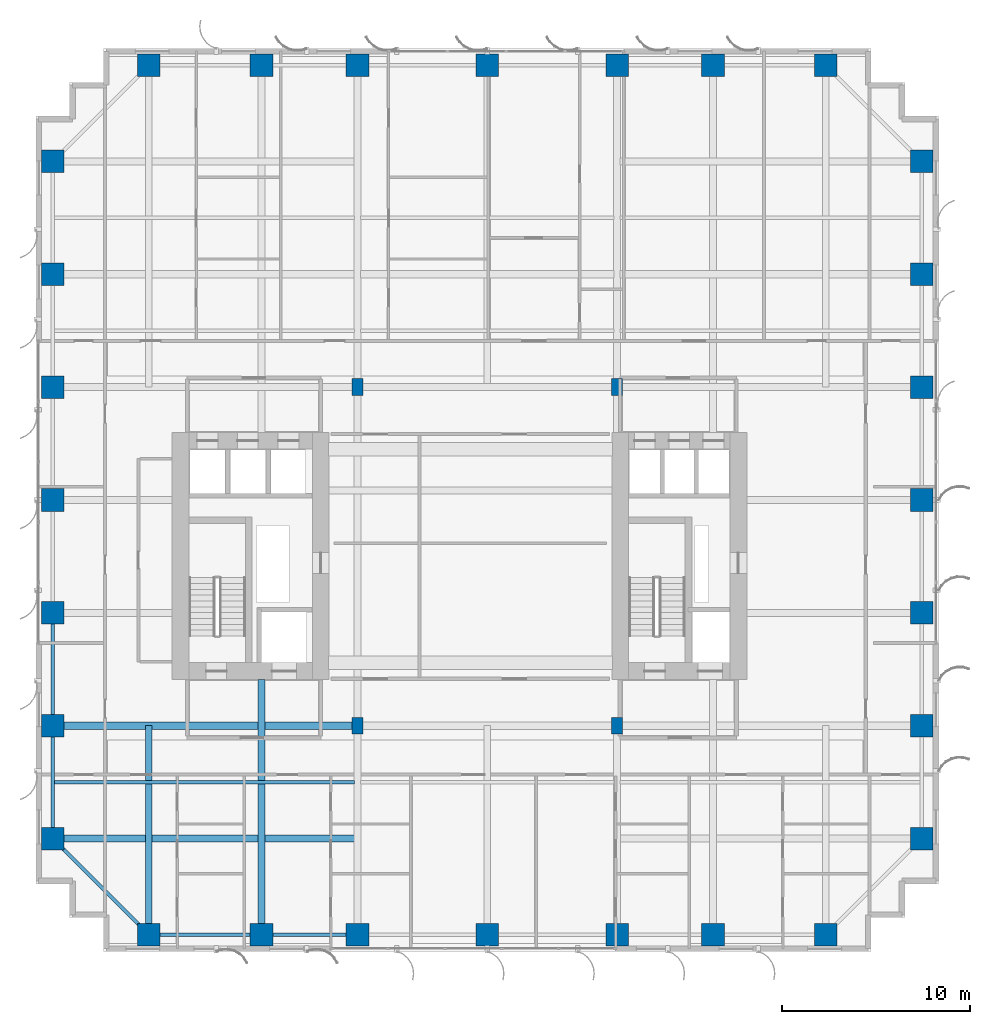
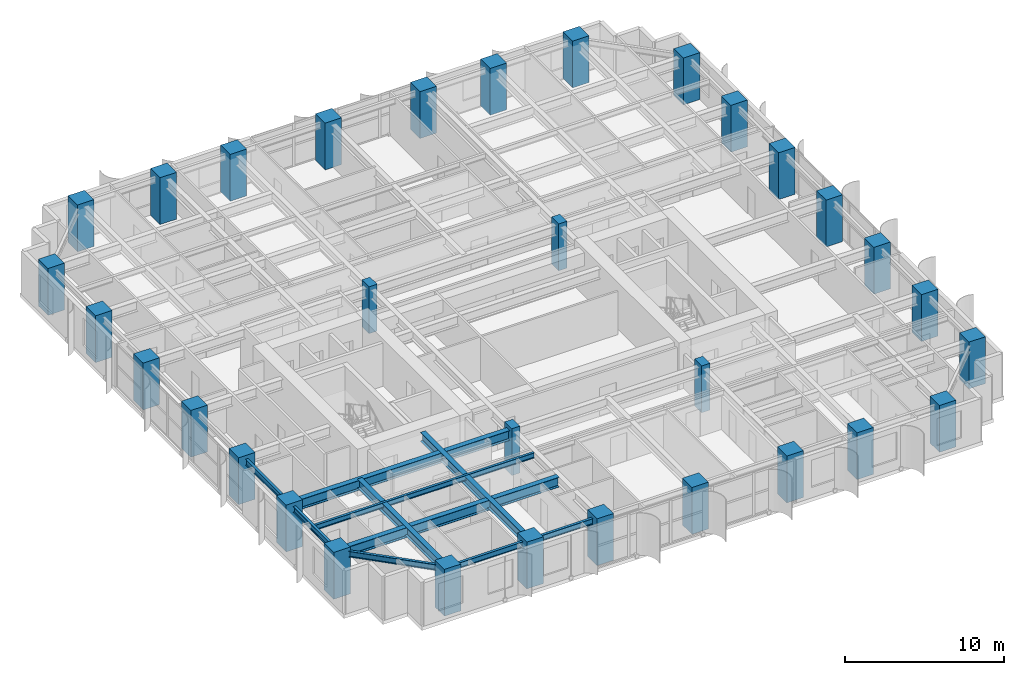
# One storey, part 1 of 23: 32 columns, 10 beams.
"""IFC4 building model written with IfcOpenShell, lengths in metres."""

from ifc_helpers import new_model, si_unit, direction, frame, origin, origin_2d, place, context, subcontext, project, spatial, rectangle, i_section, extrude, source, transform, mapped, material, material_profile, profile_set, type_object, element, save


model = new_model("IFC4")

# Units and contexts
model_context = context("Model", 3, precision=1e-05, world=origin(), true_north=direction((0.0, 1.0)))
body_context = subcontext(model_context, "Body", "Model", "MODEL_VIEW")
ifc_project = project(units=[si_unit("LENGTHUNIT", "METRE"), si_unit("AREAUNIT", "SQUARE_METRE"), si_unit("VOLUMEUNIT", "CUBIC_METRE"), si_unit("PLANEANGLEUNIT", "RADIAN"), si_unit("MASSUNIT", "GRAM", prefix="KILO")], contexts=[model_context])

# Site, building, storey
site_placement = place(None, origin())
site = spatial("IfcSite", under=ifc_project, at=site_placement, CompositionType="ELEMENT")
building_placement = place(site_placement, origin())
building = spatial("IfcBuilding", under=site, at=building_placement, Name="Khoralis Quay Care Tower", CompositionType="ELEMENT")
storey_placement = place(building_placement, frame((0.0, 0.0, 36.89990234375)))
storey = spatial("IfcBuildingStorey", under=building, at=storey_placement, Name="L09", CompositionType="ELEMENT", Elevation=36.89990234375)

# Columns
ifc_material_1 = material(Name="Concrete C80/95", Category="concrete")
ifc_material_profile_1 = material_profile(ifc_material_1, rectangle(XDim=1.199951171875, YDim=1.199951171875, at=origin_2d()), Name="Concrete C80/95")
ifc_profile_set_1 = profile_set([ifc_material_profile_1], Name="Concrete C80/95")
column_type_1 = type_object("IfcColumnType", Name="COL-C1200", PredefinedType="COLUMN", material=ifc_profile_set_1)
shared_shape_1 = source(origin(), body_context, "Body", "SweptSolid", [
    extrude(rectangle(XDim=1.199951171875, YDim=1.199951171875, at=origin_2d()), origin(), (0.0, 0.0, 1.0), 3.60009765625),
])
for number, where, z_axis, x_axis, name in (
    (1, (6.0, 0.89990234375, 0.0), (0.0, 0.0, 1.0), (1.0, 0.0, 0.0), "COL-TWR-L09-01"),
    (2, (6.0, 47.10009765625, 0.0), (0.0, 0.0, 1.0), (1.0, 0.0, 0.0), "COL-TWR-L09-02"),
    (3, (12.0, 0.89990234375, 0.0), (0.0, 0.0, 1.0), (1.0, 0.0, 0.0), "COL-TWR-L09-03"),
    (4, (12.0, 47.10009765625, 0.0), (0.0, 0.0, 1.0), (1.0, 0.0, 0.0), "COL-TWR-L09-04"),
    (5, (17.10009765625, 0.89990234375, 0.0), (0.0, 0.0, 1.0), (1.0, 0.0, 0.0), "COL-TWR-L09-05"),
    (6, (17.10009765625, 47.10009765625, 0.0), (0.0, 0.0, 1.0), (1.0, 0.0, 0.0), "COL-TWR-L09-06"),
    (7, (24.0, 0.89990234375, 0.0), (0.0, 0.0, 1.0), (1.0, 0.0, 0.0), "COL-TWR-L09-07"),
    (8, (24.0, 47.10009765625, 0.0), (0.0, 0.0, 1.0), (1.0, 0.0, 0.0), "COL-TWR-L09-08"),
    (9, (30.89990234375, 0.89990234375, 0.0), (0.0, 0.0, 1.0), (1.0, 0.0, 0.0), "COL-TWR-L09-09"),
    (10, (30.89990234375, 47.10009765625, 0.0), (0.0, 0.0, 1.0), (1.0, 0.0, 0.0), "COL-TWR-L09-10"),
    (11, (36.0, 0.89990234375, 0.0), (0.0, 0.0, 1.0), (1.0, 0.0, 0.0), "COL-TWR-L09-11"),
    (12, (36.0, 47.10009765625, 0.0), (0.0, 0.0, 1.0), (1.0, 0.0, 0.0), "COL-TWR-L09-12"),
    (13, (42.0, 0.89990234375, 0.0), (0.0, 0.0, 1.0), (1.0, 0.0, 0.0), "COL-TWR-L09-13"),
    (14, (42.0, 47.10009765625, 0.0), (0.0, 0.0, 1.0), (1.0, 0.0, 0.0), "COL-TWR-L09-14"),
    (15, (0.89990234375, 6.0, 0.0), (0.0, 0.0, 1.0), (1.0, 0.0, 0.0), "COL-TWR-L09-15"),
    (16, (47.10009765625, 6.0, 0.0), (0.0, 0.0, 1.0), (1.0, 0.0, 0.0), "COL-TWR-L09-16"),
    (17, (0.89990234375, 12.0, 0.0), (0.0, 0.0, 1.0), (1.0, 0.0, 0.0), "COL-TWR-L09-17"),
    (18, (47.10009765625, 12.0, 0.0), (0.0, 0.0, 1.0), (1.0, 0.0, 0.0), "COL-TWR-L09-18"),
    (19, (0.89990234375, 18.0, 0.0), (0.0, 0.0, 1.0), (1.0, 0.0, 0.0), "COL-TWR-L09-19"),
    (20, (47.10009765625, 18.0, 0.0), (0.0, 0.0, 1.0), (1.0, 0.0, 0.0), "COL-TWR-L09-20"),
    (21, (0.89990234375, 24.0, 0.0), (0.0, 0.0, 1.0), (1.0, 0.0, 0.0), "COL-TWR-L09-21"),
    (22, (47.10009765625, 24.0, 0.0), (0.0, 0.0, 1.0), (1.0, 0.0, 0.0), "COL-TWR-L09-22"),
    (23, (0.89990234375, 30.0, 0.0), (0.0, 0.0, 1.0), (1.0, 0.0, 0.0), "COL-TWR-L09-23"),
    (24, (47.10009765625, 30.0, 0.0), (0.0, 0.0, 1.0), (1.0, 0.0, 0.0), "COL-TWR-L09-24"),
    (25, (0.89990234375, 36.0, 0.0), (0.0, 0.0, 1.0), (1.0, 0.0, 0.0), "COL-TWR-L09-25"),
    (26, (47.10009765625, 36.0, 0.0), (0.0, 0.0, 1.0), (1.0, 0.0, 0.0), "COL-TWR-L09-26"),
    (27, (0.89990234375, 42.0, 0.0), (0.0, 0.0, 1.0), (1.0, 0.0, 0.0), "COL-TWR-L09-27"),
    (28, (47.10009765625, 42.0, 0.0), (0.0, 0.0, 1.0), (1.0, 0.0, 0.0), "COL-TWR-L09-28"),
):
    element("IfcColumn", number, at=place(storey_placement, frame(where, z_axis=z_axis, x_axis=x_axis)), inside=storey, type_object=column_type_1, Name=name, PredefinedType="COLUMN", context=body_context, shape_type="MappedRepresentation", body=[
        mapped(shared_shape_1, transform((0.0, 0.0, 0.0), scale=1.0)),
    ])
ifc_material_2 = material(Name="Concrete C65/80", Category="concrete")
ifc_material_profile_2 = material_profile(ifc_material_2, rectangle(XDim=0.60009765625, YDim=0.89990234375, at=origin_2d()), Name="Concrete C65/80")
ifc_profile_set_2 = profile_set([ifc_material_profile_2], Name="Concrete C65/80")
column_type_2 = type_object("IfcColumnType", Name="COL-C600X900", PredefinedType="COLUMN", material=ifc_profile_set_2)
shared_shape_2 = source(origin(), body_context, "Body", "SweptSolid", [
    extrude(rectangle(XDim=0.60009765625, YDim=0.89990234375, at=origin_2d()), origin(), (0.0, 0.0, 1.0), 3.60009765625),
])
for number, where, z_axis, x_axis, name in (
    (29, (17.10009765625, 12.0, 0.0), (0.0, 0.0, 1.0), (1.0, 0.0, 0.0), "COL-TWR-L09-29"),
    (30, (17.10009765625, 30.0, 0.0), (0.0, 0.0, 1.0), (1.0, 0.0, 0.0), "COL-TWR-L09-30"),
    (31, (30.89990234375, 12.0, 0.0), (0.0, 0.0, 1.0), (1.0, 0.0, 0.0), "COL-TWR-L09-31"),
    (32, (30.89990234375, 30.0, 0.0), (0.0, 0.0, 1.0), (1.0, 0.0, 0.0), "COL-TWR-L09-32"),
):
    element("IfcColumn", number, at=place(storey_placement, frame(where, z_axis=z_axis, x_axis=x_axis)), inside=storey, type_object=column_type_2, Name=name, PredefinedType="COLUMN", context=body_context, shape_type="MappedRepresentation", body=[
        mapped(shared_shape_2, transform((0.0, 0.0, 0.0), scale=1.0)),
    ])

# Beams
ifc_material_3 = material(Name="Steel S355", Category="steel")
ifc_material_profile_3 = material_profile(ifc_material_3, i_section(OverallWidth=0.18994140625, OverallDepth=0.449951171875, WebThickness=0.009521484375, FlangeThickness=0.0146484375, FilletRadius=0.02099609375, at=origin_2d()), Name="Steel S355")
ifc_profile_set_3 = profile_set([ifc_material_profile_3], Name="Steel S355")
beam_type_1 = type_object("IfcBeamType", Name="BM-IPE450", PredefinedType="SPANDREL", material=ifc_profile_set_3)
shared_shape_3 = source(origin(), body_context, "Body", "SweptSolid", [
    extrude(i_section(OverallWidth=0.18994140625, OverallDepth=0.449951171875, WebThickness=0.009521484375, FlangeThickness=0.0146484375, FilletRadius=0.02099609375, at=origin_2d()), origin(), (0.0, 0.0, 1.0), 6.0),
])
for number, where, z_axis, x_axis, name in (
    (33, (6.0, 0.89990234375, 3.09521484375), (1.0, 0.0, 0.0), (0.0, 1.0, 0.0), "BM-TSP-L09-01"),
    (34, (0.89990234375, 6.0, 3.09521484375), (0.0, 1.0, 0.0), (-1.0, 0.0, 0.0), "BM-TSP-L09-13"),
    (35, (0.89990234375, 12.0, 3.09521484375), (0.0, 1.0, 0.0), (-1.0, 0.0, 0.0), "BM-TSP-L09-14"),
):
    element("IfcBeam", number, at=place(storey_placement, frame(where, z_axis=z_axis, x_axis=x_axis)), inside=storey, type_object=beam_type_1, Name=name, PredefinedType="SPANDREL", context=body_context, shape_type="MappedRepresentation", body=[
        mapped(shared_shape_3, transform((0.0, 0.0, 0.0), scale=1.0)),
    ])
shared_shape_4 = source(origin(), body_context, "Body", "SweptSolid", [
    extrude(i_section(OverallWidth=0.18994140625, OverallDepth=0.449951171875, WebThickness=0.009521484375, FlangeThickness=0.0146484375, FilletRadius=0.02099609375, at=origin_2d()), origin(), (0.0, 0.0, 1.0), 5.10009765625),
])
beam_1_placement = place(storey_placement, frame((12.0, 0.89990234375, 3.09521484375), z_axis=(1.0, 0.0, 0.0), x_axis=(0.0, 1.0, 0.0)))
element("IfcBeam", 36, at=beam_1_placement, inside=storey, type_object=beam_type_1, Name="BM-TSP-L09-02", PredefinedType="SPANDREL", context=body_context, shape_type="MappedRepresentation", body=[
    mapped(shared_shape_4, transform((0.0, 0.0, 0.0), scale=1.0)),
])
shared_shape_5 = source(origin(), body_context, "Body", "SweptSolid", [
    extrude(i_section(OverallWidth=0.18994140625, OverallDepth=0.449951171875, WebThickness=0.009521484375, FlangeThickness=0.0146484375, FilletRadius=0.02099609375, at=origin_2d()), origin(), (0.0, 0.0, 1.0), 7.212646484375),
])
beam_2_placement = place(storey_placement, frame((6.0, 0.89990234375, 3.09521484375), z_axis=(-0.707106781187, 0.707106781187, 0.0), x_axis=(-0.707106781187, -0.707106781187, 0.0)))
element("IfcBeam", 37, at=beam_2_placement, inside=storey, type_object=beam_type_1, Name="BM-TCR-L09-25", PredefinedType="SPANDREL", context=body_context, shape_type="MappedRepresentation", body=[
    mapped(shared_shape_5, transform((0.0, 0.0, 0.0), scale=1.0)),
])
ifc_material_profile_4 = material_profile(ifc_material_3, i_section(OverallWidth=0.381103515625, OverallDepth=0.77294921875, WebThickness=0.0166015625, FlangeThickness=0.027587890625, FilletRadius=0.02197265625, at=origin_2d()), Name="Steel S355")
ifc_profile_set_4 = profile_set([ifc_material_profile_4], Name="Steel S355")
beam_type_2 = type_object("IfcBeamType", Name="BM-W760X257", PredefinedType="BEAM", material=ifc_profile_set_4)
shared_shape_6 = source(origin(), body_context, "Body", "SweptSolid", [
    extrude(i_section(OverallWidth=0.381103515625, OverallDepth=0.77294921875, WebThickness=0.0166015625, FlangeThickness=0.027587890625, FilletRadius=0.02197265625, at=origin_2d()), origin(), (0.0, 0.0, 1.0), 16.03466796875),
])
beam_3_placement = place(storey_placement, frame((0.89990234375, 6.0, 2.93359375), z_axis=(1.0, 0.0, 0.0), x_axis=(0.0, 1.0, 0.0)))
element("IfcBeam", 38, at=beam_3_placement, inside=storey, type_object=beam_type_2, Name="BM-TGXW-L09-60", PredefinedType="BEAM", context=body_context, shape_type="MappedRepresentation", body=[
    mapped(shared_shape_6, transform((0.0, 0.0, 0.0), scale=1.0)),
])
shared_shape_7 = source(origin(), body_context, "Body", "SweptSolid", [
    extrude(i_section(OverallWidth=0.381103515625, OverallDepth=0.77294921875, WebThickness=0.0166015625, FlangeThickness=0.027587890625, FilletRadius=0.02197265625, at=origin_2d()), origin(), (0.0, 0.0, 1.0), 16.2001953125),
])
beam_4_placement = place(storey_placement, frame((0.89990234375, 12.0, 2.93359375), z_axis=(1.0, 0.0, 0.0), x_axis=(0.0, 1.0, 0.0)))
element("IfcBeam", 39, at=beam_4_placement, inside=storey, type_object=beam_type_2, Name="BM-TGXW-L09-120", PredefinedType="BEAM", context=body_context, shape_type="MappedRepresentation", body=[
    mapped(shared_shape_7, transform((0.0, 0.0, 0.0), scale=1.0)),
])
ifc_material_profile_5 = material_profile(ifc_material_3, i_section(OverallWidth=0.35498046875, OverallDepth=0.695068359375, WebThickness=0.015380859375, FlangeThickness=0.02490234375, FilletRadius=0.02001953125, at=origin_2d()), Name="Steel S355")
ifc_profile_set_5 = profile_set([ifc_material_profile_5], Name="Steel S355")
beam_type_3 = type_object("IfcBeamType", Name="BM-W690X217", PredefinedType="BEAM", material=ifc_profile_set_5)
shared_shape_8 = source(origin(), body_context, "Body", "SweptSolid", [
    extrude(i_section(OverallWidth=0.35498046875, OverallDepth=0.695068359375, WebThickness=0.015380859375, FlangeThickness=0.02490234375, FilletRadius=0.02001953125, at=origin_2d()), origin(), (0.0, 0.0, 1.0), 11.10009765625),
])
beam_5_placement = place(storey_placement, frame((6.0, 0.89990234375, 2.97265625), z_axis=(0.0, 1.0, 0.0), x_axis=(-1.0, 0.0, 0.0)))
element("IfcBeam", 40, at=beam_5_placement, inside=storey, type_object=beam_type_3, Name="BM-TGYS-L09-60", PredefinedType="BEAM", context=body_context, shape_type="MappedRepresentation", body=[
    mapped(shared_shape_8, transform((0.0, 0.0, 0.0), scale=1.0)),
])
shared_shape_9 = source(origin(), body_context, "Body", "SweptSolid", [
    extrude(i_section(OverallWidth=0.35498046875, OverallDepth=0.695068359375, WebThickness=0.015380859375, FlangeThickness=0.02490234375, FilletRadius=0.02001953125, at=origin_2d()), origin(), (0.0, 0.0, 1.0), 13.552001953125),
])
beam_6_placement = place(storey_placement, frame((12.0, 0.89990234375, 2.97265625), z_axis=(0.0, 1.0, 0.0), x_axis=(-1.0, 0.0, 0.0)))
element("IfcBeam", 41, at=beam_6_placement, inside=storey, type_object=beam_type_3, Name="BM-TGYS-L09-120", PredefinedType="BEAM", context=body_context, shape_type="MappedRepresentation", body=[
    mapped(shared_shape_9, transform((0.0, 0.0, 0.0), scale=1.0)),
])
ifc_material_profile_6 = material_profile(ifc_material_3, i_section(OverallWidth=0.177978515625, OverallDepth=0.406982421875, WebThickness=0.0078125, FlangeThickness=0.0126953125, FilletRadius=0.012939453125, at=origin_2d()), Name="Steel S355")
ifc_profile_set_6 = profile_set([ifc_material_profile_6], Name="Steel S355")
beam_type_4 = type_object("IfcBeamType", Name="BM-W410X60", PredefinedType="JOIST", material=ifc_profile_set_6)
shared_shape_10 = source(origin(), body_context, "Body", "SweptSolid", [
    extrude(i_section(OverallWidth=0.177978515625, OverallDepth=0.406982421875, WebThickness=0.0078125, FlangeThickness=0.0126953125, FilletRadius=0.012939453125, at=origin_2d()), origin(), (0.0, 0.0, 1.0), 15.95361328125),
])
beam_7_placement = place(storey_placement, frame((0.98095703125, 9.0, 3.11669921875), z_axis=(1.0, 0.0, 0.0), x_axis=(0.0, 1.0, 0.0)))
element("IfcBeam", 42, at=beam_7_placement, inside=storey, type_object=beam_type_4, Name="BM-TJS-L09-29", PredefinedType="JOIST", context=body_context, shape_type="MappedRepresentation", body=[
    mapped(shared_shape_10, transform((0.0, 0.0, 0.0), scale=1.0)),
])

save(model, "model.ifc")
